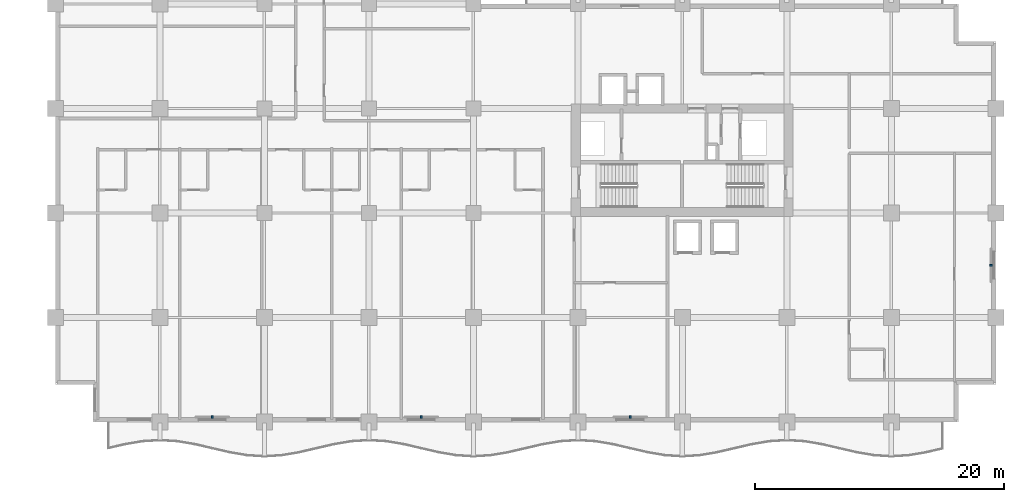
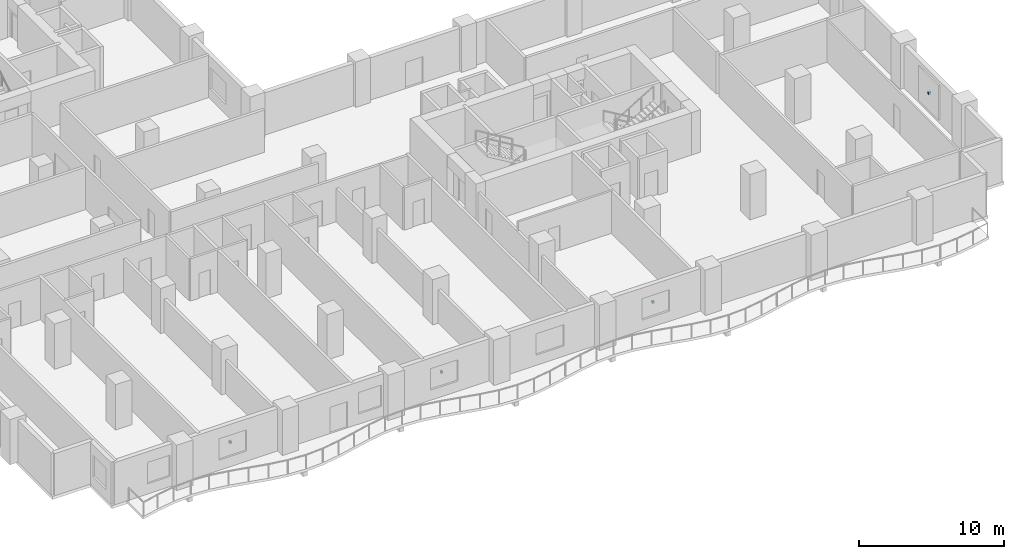
# One storey, part 15 of 20: 4 discrete accessories.
"""IFC4 building model written with IfcOpenShell, lengths in metres."""

from ifc_helpers import new_model, si_unit, direction, frame, origin, origin_2d, place, context, subcontext, project, spatial, rectangle, extrude, material, type_object, element, save


model = new_model("IFC4")

# Units and contexts
model_context = context("Model", 3, precision=1e-05, world=origin(), true_north=direction((0.0, 1.0)))
body_context = subcontext(model_context, "Body", "Model", "MODEL_VIEW")
ifc_project = project(units=[si_unit("LENGTHUNIT", "METRE"), si_unit("AREAUNIT", "SQUARE_METRE"), si_unit("VOLUMEUNIT", "CUBIC_METRE"), si_unit("PLANEANGLEUNIT", "RADIAN"), si_unit("MASSUNIT", "GRAM", prefix="KILO")], contexts=[model_context])

# Site, building, storey
site_placement = place(None, origin())
site = spatial("IfcSite", under=ifc_project, at=site_placement, CompositionType="ELEMENT")
building_placement = place(site_placement, origin())
building = spatial("IfcBuilding", under=site, at=building_placement, Name="Koriwani Terraces Tower", CompositionType="ELEMENT")
storey_placement = place(building_placement, frame((0.0, 0.0, 126.60009765625)))
storey = spatial("IfcBuildingStorey", under=building, at=storey_placement, Name="L30", CompositionType="ELEMENT", Elevation=126.60009765625)

# Discrete accessories
ifc_material = material(Name="Steel ASTM A572 Grade 50", Category="steel")
discrete_accessory_type = type_object("IfcDiscreteAccessoryType", Name="BAGUETTE_STANDOFF_BRACKET", PredefinedType="BRACKET", material=ifc_material)
for number, where, z_axis, x_axis, name in (
    (1, (75.2099609375, 12.60009765625, 1.68505859375), (0.0, 0.0, 1.0), (0.0, -1.0, 0.0), "L30 Terracotta Baguette Bracket (E_TIP-3)"),
    (2, (12.60009765625, 0.389892578125, 1.68505859375), (0.0, 0.0, 1.0), (-1.0, 0.0, 0.0), "L30 Terracotta Baguette Bracket (S-3)"),
    (3, (29.39990234375, 0.389892578125, 1.68505859375), (0.0, 0.0, 1.0), (-1.0, 0.0, 0.0), "L30 Terracotta Baguette Bracket (S-9)"),
    (4, (46.199951171875, 0.389892578125, 1.68505859375), (0.0, 0.0, 1.0), (-1.0, 0.0, 0.0), "L30 Terracotta Baguette Bracket (S-15)"),
):
    element("IfcDiscreteAccessory", number, at=place(storey_placement, frame(where, z_axis=z_axis, x_axis=x_axis)), inside=storey, type_object=discrete_accessory_type, Name=name, PredefinedType="BRACKET", context=body_context, shape_type="SweptSolid", body=[
        extrude(rectangle(XDim=0.159912109375, YDim=0.199951171875, at=origin_2d()), origin(), (0.0, 0.0, 1.0), 0.179931640625),
    ])

save(model, "model.ifc")
